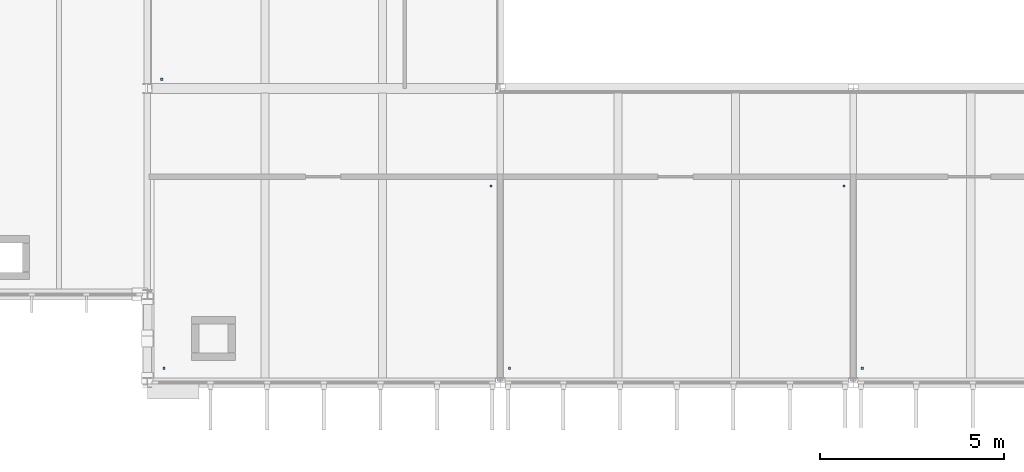
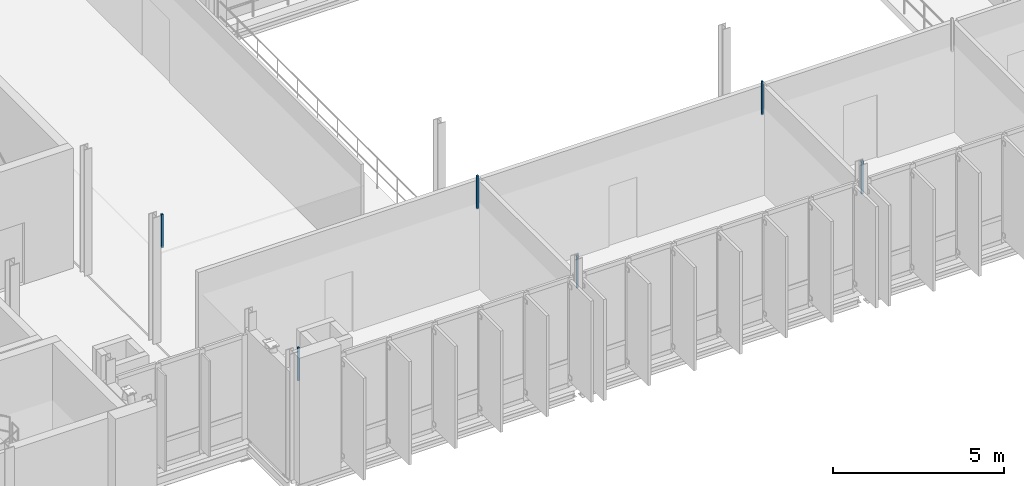
# One storey, part 41 of 59: 6 discrete accessories.
"""IFC4 building model written with IfcOpenShell, lengths in metres."""

from ifc_helpers import new_model, si_unit, direction, frame, origin, place, context, subcontext, project, spatial, polyline, outline, extrude, material, type_object, element, save


model = new_model("IFC4")

# Units and contexts
model_context = context("Model", 3, precision=1e-05, world=origin(), true_north=direction((0.0, 1.0)))
body_context = subcontext(model_context, "Body", "Model", "MODEL_VIEW")
ifc_project = project(units=[si_unit("LENGTHUNIT", "METRE"), si_unit("AREAUNIT", "SQUARE_METRE"), si_unit("VOLUMEUNIT", "CUBIC_METRE"), si_unit("PLANEANGLEUNIT", "RADIAN"), si_unit("MASSUNIT", "GRAM", prefix="KILO")], contexts=[model_context])

# Site, building, storey
site_placement = place(None, origin())
site = spatial("IfcSite", under=ifc_project, at=site_placement, CompositionType="ELEMENT")
building_placement = place(site_placement, origin())
building = spatial("IfcBuilding", under=site, at=building_placement, Name="Dunescarp Central Library", CompositionType="ELEMENT")
storey_placement = place(building_placement, frame((0.0, 0.0, 18.60009765625)))
storey = spatial("IfcBuildingStorey", under=building, at=storey_placement, Name="L04", CompositionType="ELEMENT", Elevation=18.60009765625)

# Discrete accessories
ifc_material = material(Name="Stainless steel Grade 316L", Category="steel")
discrete_accessory_type = type_object("IfcDiscreteAccessoryType", Name="ARC-ACC-BRK", PredefinedType="BRACKET", material=ifc_material)
discrete_accessory_1_placement = place(storey_placement, frame((0.0, 0.0, 3.059814453125)))
element("IfcDiscreteAccessory", 1, at=discrete_accessory_1_placement, inside=storey, type_object=discrete_accessory_type, Name="L04 ceiling hanger CLG-L04-076-H1", PredefinedType="BRACKET", context=body_context, shape_type="SweptSolid", body=[
    extrude(outline(polyline([(38.820068359375, 5.159912109375), (38.8798828125, 5.159912109375), (38.8798828125, 5.219970703125), (38.820068359375, 5.219970703125), (38.820068359375, 5.159912109375)])), origin(), (0.0, 0.0, 1.0), 1.18017578125),
])
discrete_accessory_2_placement = place(storey_placement, frame((0.0, 0.0, 3.059814453125)))
element("IfcDiscreteAccessory", 2, at=discrete_accessory_2_placement, inside=storey, type_object=discrete_accessory_type, Name="L04 ceiling hanger CLG-L04-076-H2", PredefinedType="BRACKET", context=body_context, shape_type="SweptSolid", body=[
    extrude(outline(polyline([(47.719970703125, 10.1201171875), (47.780029296875, 10.1201171875), (47.780029296875, 10.179931640625), (47.719970703125, 10.179931640625), (47.719970703125, 10.1201171875)])), origin(), (0.0, 0.0, 1.0), 1.18017578125),
])
discrete_accessory_3_placement = place(storey_placement, frame((0.0, 0.0, 3.059814453125)))
element("IfcDiscreteAccessory", 3, at=discrete_accessory_3_placement, inside=storey, type_object=discrete_accessory_type, Name="L04 ceiling hanger CLG-L04-077-H1", PredefinedType="BRACKET", context=body_context, shape_type="SweptSolid", body=[
    extrude(outline(polyline([(48.219970703125, 5.159912109375), (48.280029296875, 5.159912109375), (48.280029296875, 5.219970703125), (48.219970703125, 5.219970703125), (48.219970703125, 5.159912109375)])), origin(), (0.0, 0.0, 1.0), 1.18017578125),
])
discrete_accessory_4_placement = place(storey_placement, frame((0.0, 0.0, 3.059814453125)))
element("IfcDiscreteAccessory", 4, at=discrete_accessory_4_placement, inside=storey, type_object=discrete_accessory_type, Name="L04 ceiling hanger CLG-L04-077-H2", PredefinedType="BRACKET", context=body_context, shape_type="SweptSolid", body=[
    extrude(outline(polyline([(57.320068359375, 10.1201171875), (57.3798828125, 10.1201171875), (57.3798828125, 10.179931640625), (57.320068359375, 10.179931640625), (57.320068359375, 10.1201171875)])), origin(), (0.0, 0.0, 1.0), 1.18017578125),
])
discrete_accessory_5_placement = place(storey_placement, frame((0.0, 0.0, 3.059814453125)))
element("IfcDiscreteAccessory", 5, at=discrete_accessory_5_placement, inside=storey, type_object=discrete_accessory_type, Name="L04 ceiling hanger CLG-L04-078-H1", PredefinedType="BRACKET", context=body_context, shape_type="SweptSolid", body=[
    extrude(outline(polyline([(57.820068359375, 5.159912109375), (57.8798828125, 5.159912109375), (57.8798828125, 5.219970703125), (57.820068359375, 5.219970703125), (57.820068359375, 5.159912109375)])), origin(), (0.0, 0.0, 1.0), 1.18017578125),
])
discrete_accessory_6_placement = place(storey_placement, frame((0.0, 0.0, 3.059814453125)))
element("IfcDiscreteAccessory", 6, at=discrete_accessory_6_placement, inside=storey, type_object=discrete_accessory_type, Name="L04 ceiling hanger CLG-L04-079-H1", PredefinedType="BRACKET", context=body_context, shape_type="SweptSolid", body=[
    extrude(outline(polyline([(38.760009765625, 13.02001953125), (38.820068359375, 13.02001953125), (38.820068359375, 13.080078125), (38.760009765625, 13.080078125), (38.760009765625, 13.02001953125)])), origin(), (0.0, 0.0, 1.0), 1.18017578125),
])

save(model, "model.ifc")
